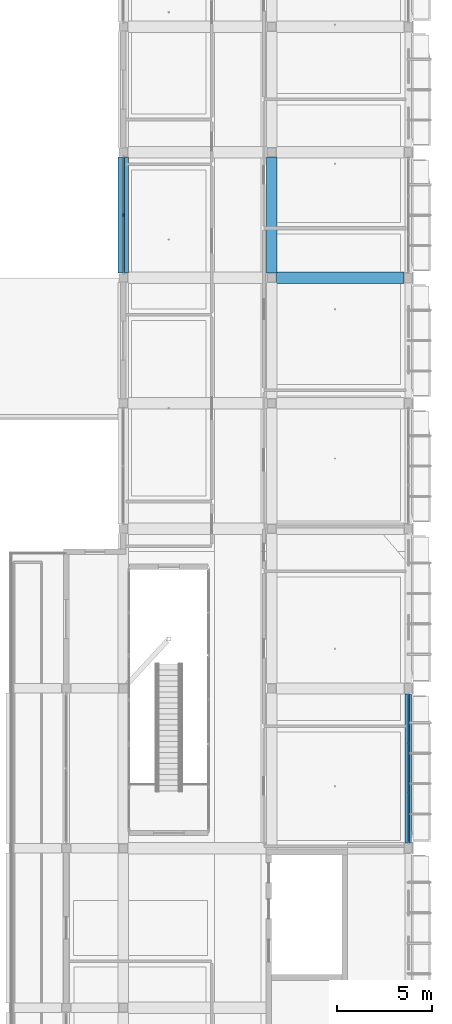
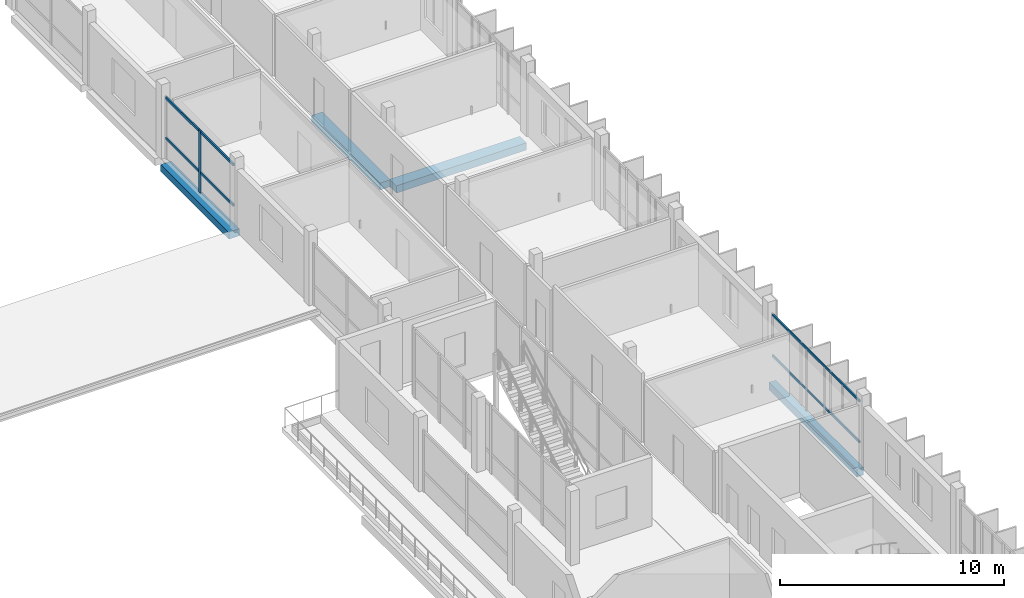
# One storey, part 36 of 86: 5 members, 4 beams, 2 elements without a shape of their own.
"""IFC4 building model written with IfcOpenShell, lengths in metres."""

from ifc_helpers import new_model, si_unit, derived_unit, direction, frame, origin, origin_2d, place, context, subcontext, project, spatial, rectangle, extrude, material, material_profile, profile_set, type_object, element, aggregate, save


model = new_model("IFC4")

# Units and contexts
model_context = context("Model", 3, precision=1e-05, world=origin(), true_north=direction((0.0, 1.0)))
body_context = subcontext(model_context, "Body", "Model", "MODEL_VIEW")
ifc_project = project(units=[si_unit("LENGTHUNIT", "METRE"), si_unit("AREAUNIT", "SQUARE_METRE"), si_unit("VOLUMEUNIT", "CUBIC_METRE"), si_unit("PLANEANGLEUNIT", "RADIAN"), si_unit("MASSUNIT", "GRAM", prefix="KILO"), derived_unit("THERMALTRANSMITTANCEUNIT", [(si_unit("POWERUNIT", "WATT"), 1), (si_unit("LENGTHUNIT", "METRE"), -2), (si_unit("THERMODYNAMICTEMPERATUREUNIT", "KELVIN"), -1)])], contexts=[model_context])

# Site, building, storey
site_placement = place(None, origin())
site = spatial("IfcSite", under=ifc_project, at=site_placement, CompositionType="ELEMENT")
building_placement = place(site_placement, origin())
building = spatial("IfcBuilding", under=site, at=building_placement, Name="Braskholm Square Health Centre", CompositionType="ELEMENT")
storey_placement = place(building_placement, frame((0.0, 0.0, 13.5)))
storey = spatial("IfcBuildingStorey", under=building, at=storey_placement, Name="L04", CompositionType="ELEMENT", Elevation=13.5)

# Curtain wall, member
ifc_material_1 = material(Name="Low-E triple insulating glass (VLT 0.64)", Category="glass")
curtain_wall_type = type_object("IfcCurtainWallType", Name="UnitisedCurtainWall6200x3650", PredefinedType="NOTDEFINED", material=ifc_material_1)
curtain_wall_1_placement = place(storey_placement, origin())
curtain_wall_1 = element("IfcCurtainWall", 1, at=curtain_wall_1_placement, inside=storey, type_object=curtain_wall_type, Name="East Valley unitised curtain wall CW-L04-0135", PredefinedType="NOTDEFINED")
ifc_material_2 = material(Name="Architectural bronze anodised aluminium", Category="aluminium")
ifc_material_profile_1 = material_profile(ifc_material_2, rectangle(XDim=0.074951171875, YDim=0.179931640625, at=origin_2d()), Name="ALU-75X180")
ifc_profile_set_1 = profile_set([ifc_material_profile_1], Name="Architectural bronze anodised aluminium")
member_type_1 = type_object("IfcMemberType", Name="CurtainWallMullion75x180", PredefinedType="MULLION", material=ifc_profile_set_1)
member_1_placement = place(storey_placement, frame((148.800048828125, 97.10009765625, 0.0), z_axis=(0.0, 0.0, 1.0), x_axis=(1.0, 0.0, 0.0)))
member_1 = element("IfcMember", 2, at=member_1_placement, type_object=member_type_1, Name="CW-L04-0135 vertical mullion 2", PredefinedType="MULLION", context=body_context, shape_type="SweptSolid", body=[
    extrude(rectangle(XDim=0.074951171875, YDim=0.179931640625, at=origin_2d()), origin(), (0.0, 0.0, 1.0), 3.389892578125),
])

# Curtain wall, members
curtain_wall_2_placement = place(storey_placement, origin())
curtain_wall_2 = element("IfcCurtainWall", 3, at=curtain_wall_2_placement, inside=storey, type_object=curtain_wall_type, Name="East Outer unitised curtain wall CW-L04-0072", PredefinedType="NOTDEFINED")
ifc_material_profile_2 = material_profile(ifc_material_2, rectangle(XDim=0.06494140625, YDim=0.1201171875, at=origin_2d()), Name="ALU-65X120")
ifc_profile_set_2 = profile_set([ifc_material_profile_2], Name="Architectural bronze anodised aluminium")
member_type_2 = type_object("IfcMemberType", Name="CurtainWallTransom65x120", PredefinedType="USERDEFINED", material=ifc_profile_set_2)
member_2_placement = place(storey_placement, frame((163.800048828125, 64.114990234375, 1.1201171875), z_axis=(0.0, 1.0, 0.0), x_axis=(-1.0, 0.0, 0.0)))
member_2 = element("IfcMember", 4, at=member_2_placement, type_object=member_type_2, Name="CW-L04-0072 horizontal transom 1", ObjectType="TRANSOM", PredefinedType="USERDEFINED", context=body_context, shape_type="SweptSolid", body=[
    extrude(rectangle(XDim=0.06494140625, YDim=0.1201171875, at=origin_2d()), origin(), (0.0, 0.0, 1.0), 7.77001953125),
])
member_3_placement = place(storey_placement, frame((163.800048828125, 64.114990234375, 3.35009765625), z_axis=(0.0, 1.0, 0.0), x_axis=(-1.0, 0.0, 0.0)))
member_3 = element("IfcMember", 5, at=member_3_placement, type_object=member_type_2, Name="CW-L04-0072 horizontal transom 2", ObjectType="TRANSOM", PredefinedType="USERDEFINED", context=body_context, shape_type="SweptSolid", body=[
    extrude(rectangle(XDim=0.06494140625, YDim=0.1201171875, at=origin_2d()), origin(), (0.0, 0.0, 1.0), 7.77001953125),
])
aggregate(curtain_wall_2, [member_2, member_3])

# Member
ifc_material_profile_3 = material_profile(ifc_material_2, rectangle(XDim=0.074951171875, YDim=0.139892578125, at=origin_2d()), Name="ALU-75X140")
ifc_profile_set_3 = profile_set([ifc_material_profile_3], Name="Architectural bronze anodised aluminium")
member_type_3 = type_object("IfcMemberType", Name="CurtainWallTransom75x140", PredefinedType="USERDEFINED", material=ifc_profile_set_3)
member_4_placement = place(storey_placement, frame((148.800048828125, 100.114990234375, 1.1201171875), z_axis=(0.0, -1.0, 0.0), x_axis=(1.0, 0.0, 0.0)))
member_4 = element("IfcMember", 6, at=member_4_placement, type_object=member_type_3, Name="CW-L04-0135 horizontal transom 1", ObjectType="TRANSOM", PredefinedType="USERDEFINED", context=body_context, shape_type="SweptSolid", body=[
    extrude(rectangle(XDim=0.074951171875, YDim=0.139892578125, at=origin_2d()), origin(), (0.0, 0.0, 1.0), 6.030029296875),
])

member_5_placement = place(storey_placement, frame((148.800048828125, 100.114990234375, 3.320068359375), z_axis=(0.0, -1.0, 0.0), x_axis=(1.0, 0.0, 0.0)))
member_5 = element("IfcMember", 7, at=member_5_placement, type_object=member_type_3, Name="CW-L04-0135 horizontal transom 2", ObjectType="TRANSOM", PredefinedType="USERDEFINED", context=body_context, shape_type="SweptSolid", body=[
    extrude(rectangle(XDim=0.074951171875, YDim=0.139892578125, at=origin_2d()), origin(), (0.0, 0.0, 1.0), 6.030029296875),
])

aggregate(curtain_wall_1, [member_1, member_4, member_5])

# Beams
ifc_material_3 = material(Name="Concrete C35/45 (f'c = 35 MPa)", Category="concrete")
ifc_material_profile_4 = material_profile(ifc_material_3, rectangle(XDim=0.550048828125, YDim=0.3798828125, at=origin_2d()), Name="RCB-550X380")
ifc_profile_set_4 = profile_set([ifc_material_profile_4], Name="Concrete C35/45 (f'c = 35 MPa)")
beam_type_1 = type_object("IfcBeamType", Name="PrimaryBandBeam550x380", PredefinedType="BEAM", material=ifc_profile_set_4)
for number, where, z_axis, x_axis, name in (
    (8, (148.800048828125, 94.050048828125, -0.43994140625), (0.0, 1.0, 0.0), (-1.0, 0.0, 0.0), "Beam 20/P-Q L04"),
    (9, (156.60009765625, 94.050048828125, -0.489990234375), (0.0, 1.0, 0.0), (-1.0, 0.0, 0.0), "Beam 21/P-Q L04"),
):
    element("IfcBeam", number, at=place(storey_placement, frame(where, z_axis=z_axis, x_axis=x_axis)), inside=storey, type_object=beam_type_1, Name=name, PredefinedType="BEAM", context=body_context, shape_type="SweptSolid", body=[
        extrude(rectangle(XDim=0.550048828125, YDim=0.3798828125, at=origin_2d()), origin(), (0.0, 0.0, 1.0), 6.099853515625),
    ])
ifc_material_profile_5 = material_profile(ifc_material_3, rectangle(XDim=0.60009765625, YDim=0.39990234375, at=origin_2d()), Name="RCB-600X400")
ifc_profile_set_5 = profile_set([ifc_material_profile_5], Name="Concrete C35/45 (f'c = 35 MPa)")
beam_type_2 = type_object("IfcBeamType", Name="PrimaryBandBeam600x400", PredefinedType="BEAM", material=ifc_profile_set_5)
beam_1_placement = place(storey_placement, frame((156.85009765625, 93.800048828125, -0.5), z_axis=(1.0, 0.0, 0.0), x_axis=(0.0, 1.0, 0.0)))
element("IfcBeam", 10, at=beam_1_placement, inside=storey, type_object=beam_type_2, Name="Beam 21-22/P L04", PredefinedType="BEAM", context=body_context, shape_type="SweptSolid", body=[
    extrude(rectangle(XDim=0.60009765625, YDim=0.39990234375, at=origin_2d()), origin(), (0.0, 0.0, 1.0), 6.719970703125),
])
ifc_material_4 = material(Name="Precast concrete C40/50 architectural white", Category="concrete")
ifc_material_profile_6 = material_profile(ifc_material_4, rectangle(XDim=0.340087890625, YDim=0.419921875, at=origin_2d()), Name="RCB-340X420")
ifc_profile_set_6 = profile_set([ifc_material_profile_6], Name="Precast concrete C40/50 architectural white")
beam_type_3 = type_object("IfcBeamType", Name="SpandrelCrownEdge340x420", PredefinedType="SPANDREL", material=ifc_profile_set_6)
beam_2_placement = place(storey_placement, frame((163.800048828125, 64.080078125, -0.510009765625), z_axis=(0.0, 1.0, 0.0), x_axis=(-1.0, 0.0, 0.0)))
element("IfcBeam", 11, at=beam_2_placement, inside=storey, type_object=beam_type_3, Name="Beam 22/K-L L04", PredefinedType="SPANDREL", context=body_context, shape_type="SweptSolid", body=[
    extrude(rectangle(XDim=0.340087890625, YDim=0.419921875, at=origin_2d()), origin(), (0.0, 0.0, 1.0), 7.83984375),
])

save(model, "model.ifc")
